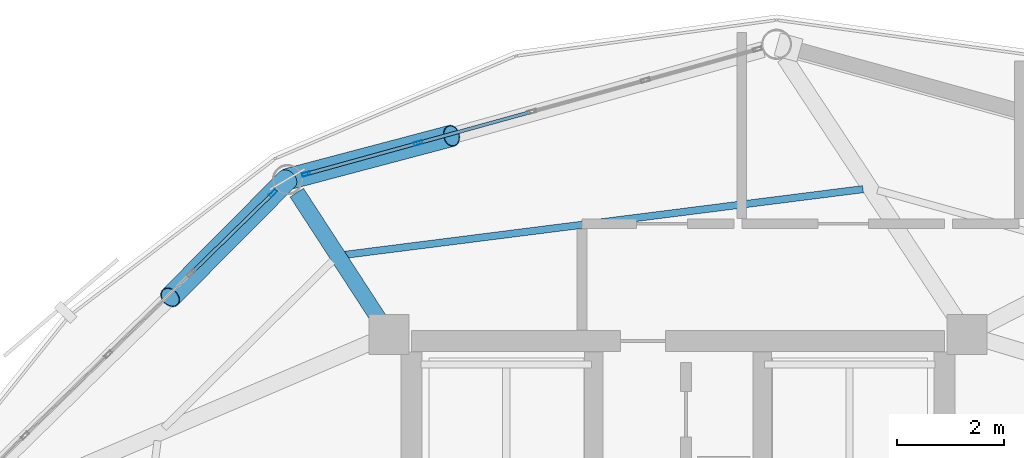
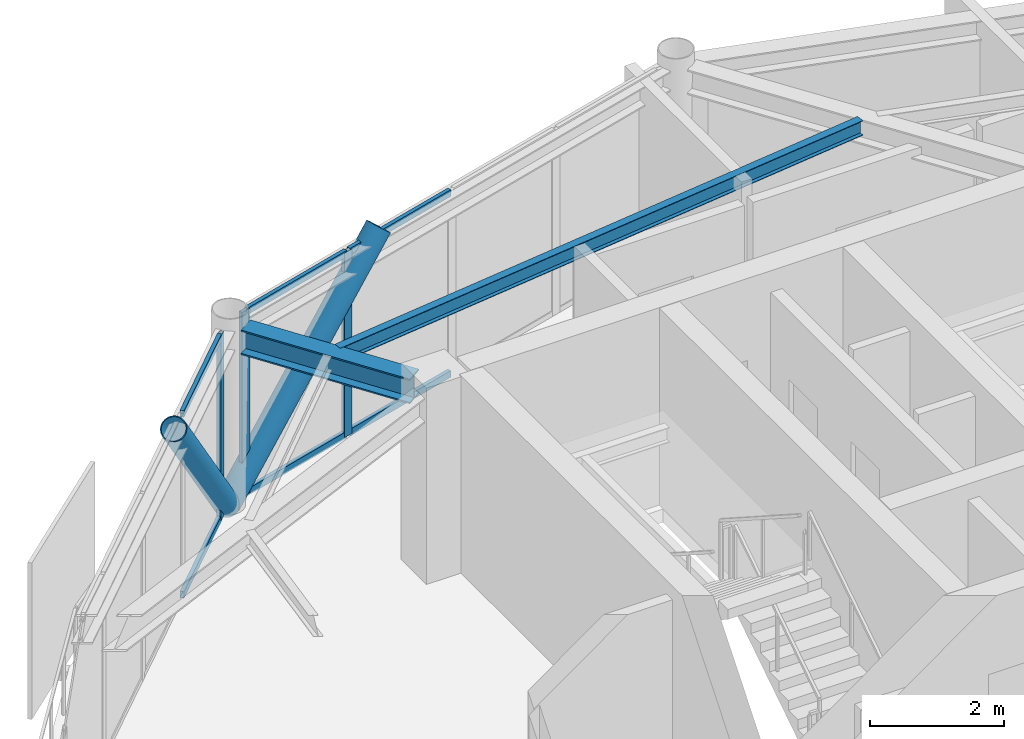
# One storey, part 18 of 27: 11 members, 2 beams, 2 elements without a shape of their own.
"""IFC4 building model written with IfcOpenShell, lengths in metres."""

from ifc_helpers import new_model, si_unit, direction, frame, origin, origin_2d, place, context, subcontext, project, spatial, hollow_rectangle, hollow_circle, i_section, extrude, material, layer, layer_set, material_profile, profile_set, type_object, element, aggregate, save


model = new_model("IFC4")

# Units and contexts
model_context = context("Model", 3, precision=1e-05, world=origin(), true_north=direction((0.0, 1.0)))
body_context = subcontext(model_context, "Body", "Model", "MODEL_VIEW")
ifc_project = project(units=[si_unit("LENGTHUNIT", "METRE"), si_unit("AREAUNIT", "SQUARE_METRE"), si_unit("VOLUMEUNIT", "CUBIC_METRE"), si_unit("PLANEANGLEUNIT", "RADIAN"), si_unit("MASSUNIT", "GRAM", prefix="KILO")], contexts=[model_context])

# Site, building, storey
site_placement = place(None, origin())
site = spatial("IfcSite", under=ifc_project, at=site_placement, CompositionType="ELEMENT")
building_placement = place(site_placement, origin())
building = spatial("IfcBuilding", under=site, at=building_placement, Name="Varnakorn Sky Granary", CompositionType="ELEMENT")
storey_placement = place(building_placement, frame((0.0, 0.0, 249.0)))
storey = spatial("IfcBuildingStorey", under=building, at=storey_placement, Name="L63", CompositionType="ELEMENT", Elevation=249.0)

# Beams
ifc_material_1 = material(Name="Steel S355JR", Category="steel")
ifc_material_profile_1 = material_profile(ifc_material_1, i_section(OverallWidth=0.300048828125, OverallDepth=0.449951171875, WebThickness=0.013916015625, FlangeThickness=0.02587890625, at=origin_2d()), Name="HE 450 B")
ifc_profile_set_1 = profile_set([ifc_material_profile_1], Name="Steel S355JR")
beam_type_1 = type_object("IfcBeamType", Name="BM-RAD-Z5", PredefinedType="BEAM", material=ifc_profile_set_1)
beam_1_placement = place(storey_placement, frame((-2.613525390625, 12.91748046875, 3.135009765625), z_axis=(-0.545061321977, 0.838396180385, 0.0), x_axis=(-0.838396180385, -0.545061321977, 0.0)))
element("IfcBeam", 1, at=beam_1_placement, inside=storey, type_object=beam_type_1, Name="Radial Floor Girder RG05 L63", PredefinedType="BEAM", context=body_context, shape_type="SweptSolid", body=[
    extrude(i_section(OverallWidth=0.300048828125, OverallDepth=0.449951171875, WebThickness=0.013916015625, FlangeThickness=0.02587890625, at=origin_2d()), origin(), (0.0, 0.0, 1.0), 2.822265625),
])
ifc_material_profile_2 = material_profile(ifc_material_1, i_section(OverallWidth=0.135009765625, OverallDepth=0.27001953125, WebThickness=0.006591796875, FlangeThickness=0.01025390625, at=origin_2d()), Name="IPE 270")
ifc_profile_set_2 = profile_set([ifc_material_profile_2], Name="Steel S355JR")
beam_type_2 = type_object("IfcBeamType", Name="BM-SEC-Z5", PredefinedType="BEAM", material=ifc_profile_set_2)
beam_2_placement = place(storey_placement, frame((6.47119140625, 15.349609375, 3.22509765625), z_axis=(-0.992061991407, -0.125749772188, 0.0), x_axis=(0.125749772188, -0.992061991407, 0.0)))
element("IfcBeam", 2, at=beam_2_placement, inside=storey, type_object=beam_type_2, Name="Secondary Floor Chord Beam MSB04 L63", PredefinedType="BEAM", context=body_context, shape_type="SweptSolid", body=[
    extrude(i_section(OverallWidth=0.135009765625, OverallDepth=0.27001953125, WebThickness=0.006591796875, FlangeThickness=0.01025390625, at=origin_2d()), origin(), (0.0, 0.0, 1.0), 9.792724609375),
])

# Curtain wall, members
ifc_material_2 = material(Name="Anodised Bronze Aluminium Alloy 6063-T6", Category="aluminium")
ifc_layer = layer(ifc_material_2, 0.159912109375, Name="Anodised Bronze Aluminium Alloy 6063-T6")
ifc_layer_set = layer_set([ifc_layer], Name="Anodised Bronze Aluminium Alloy 6063-T6")
curtain_wall_type = type_object("IfcCurtainWallType", Name="CW-OFF-1", PredefinedType="USERDEFINED", material=ifc_layer_set)
curtain_wall_1_placement = place(storey_placement, origin())
curtain_wall_1 = element("IfcCurtainWall", 3, at=curtain_wall_1_placement, inside=storey, type_object=curtain_wall_type, Name="Unitised Curtain Wall CW6 CW-L63-B04", ObjectType="CURTAIN WALL", PredefinedType="USERDEFINED")
ifc_material_profile_3 = material_profile(ifc_material_2, hollow_rectangle(XDim=0.06494140625, YDim=0.159912109375, WallThickness=0.00341796875, at=origin_2d()), Name="ALU MULL 65x160")
ifc_profile_set_3 = profile_set([ifc_material_profile_3], Name="Anodised Bronze Aluminium Alloy 6063-T6")
member_type_1 = type_object("IfcMemberType", Name="CW-OFF-1-MULL", PredefinedType="MULLION", material=ifc_profile_set_3)
member_1_placement = place(storey_placement, frame((-3.971435546875, 15.634033203125, 0.0), z_axis=(0.0, 0.0, 1.0), x_axis=(-0.266486844753, 0.963838555762, 0.0)))
member_1 = element("IfcMember", 4, at=member_1_placement, type_object=member_type_1, Name="CW6 mullion 1", PredefinedType="MULLION", context=body_context, shape_type="SweptSolid", body=[
    extrude(hollow_rectangle(XDim=0.06494140625, YDim=0.159912109375, WallThickness=0.00341796875, at=origin_2d()), origin(), (0.0, 0.0, 1.0), 3.360107421875),
])
member_2_placement = place(storey_placement, frame((-1.871337890625, 16.214599609375, 0.0), z_axis=(0.0, 0.0, 1.0), x_axis=(-0.266486844753, 0.963838555762, 0.0)))
member_2 = element("IfcMember", 5, at=member_2_placement, type_object=member_type_1, Name="CW6 mullion 2", PredefinedType="MULLION", context=body_context, shape_type="SweptSolid", body=[
    extrude(hollow_rectangle(XDim=0.06494140625, YDim=0.159912109375, WallThickness=0.00341796875, at=origin_2d()), origin(), (0.0, 0.0, 1.0), 3.360107421875),
])

# Curtain wall, member
curtain_wall_2_placement = place(storey_placement, origin())
curtain_wall_2 = element("IfcCurtainWall", 6, at=curtain_wall_2_placement, inside=storey, type_object=curtain_wall_type, Name="Unitised Curtain Wall CW6 CW-L63-B05", ObjectType="CURTAIN WALL", PredefinedType="USERDEFINED")
member_3_placement = place(storey_placement, frame((-4.595947265625, 15.27490234375, 0.0), z_axis=(0.0, 0.0, 1.0), x_axis=(-0.698832913663, 0.71528494936, 0.0)))
member_3 = element("IfcMember", 7, at=member_3_placement, type_object=member_type_1, Name="CW6 mullion 5", PredefinedType="MULLION", context=body_context, shape_type="SweptSolid", body=[
    extrude(hollow_rectangle(XDim=0.06494140625, YDim=0.159912109375, WallThickness=0.00341796875, at=origin_2d()), origin(), (0.0, 0.0, 1.0), 3.360107421875),
])

# Member
ifc_material_profile_4 = material_profile(ifc_material_2, hollow_rectangle(XDim=0.06494140625, YDim=0.1201171875, WallThickness=0.00341796875, at=origin_2d()), Name="ALU TRAN 65x120")
ifc_profile_set_4 = profile_set([ifc_material_profile_4], Name="Anodised Bronze Aluminium Alloy 6063-T6")
member_type_2 = type_object("IfcMemberType", Name="CW-OFF-1-TRAN", PredefinedType="USERDEFINED", material=ifc_profile_set_4)
member_4_placement = place(storey_placement, frame((-3.940185546875, 15.642578125, 0.032470703125), z_axis=(0.963816802571, 0.266565509926, 0.0), x_axis=(-0.266565509926, 0.963816802571, 0.0)))
member_4 = element("IfcMember", 8, at=member_4_placement, type_object=member_type_2, Name="CW6 transom 1.1", ObjectType="TRANSOM", PredefinedType="USERDEFINED", context=body_context, shape_type="SweptSolid", body=[
    extrude(hollow_rectangle(XDim=0.06494140625, YDim=0.1201171875, WallThickness=0.00341796875, at=origin_2d()), origin(), (0.0, 0.0, 1.0), 2.11376953125),
])

member_5_placement = place(storey_placement, frame((-3.940185546875, 15.642578125, 3.327392578125), z_axis=(0.963816802571, 0.266565509926, 0.0), x_axis=(-0.266565509926, 0.963816802571, 0.0)))
member_5 = element("IfcMember", 9, at=member_5_placement, type_object=member_type_2, Name="CW6 transom 1.2", ObjectType="TRANSOM", PredefinedType="USERDEFINED", context=body_context, shape_type="SweptSolid", body=[
    extrude(hollow_rectangle(XDim=0.06494140625, YDim=0.1201171875, WallThickness=0.00341796875, at=origin_2d()), origin(), (0.0, 0.0, 1.0), 2.11376953125),
])

member_6_placement = place(storey_placement, frame((-1.840087890625, 16.22314453125, 0.032470703125), z_axis=(0.963836609397, 0.266493884331, 0.0), x_axis=(-0.266493884331, 0.963836609397, 0.0)))
member_6 = element("IfcMember", 10, at=member_6_placement, type_object=member_type_2, Name="CW6 transom 2.1", ObjectType="TRANSOM", PredefinedType="USERDEFINED", context=body_context, shape_type="SweptSolid", body=[
    extrude(hollow_rectangle(XDim=0.06494140625, YDim=0.1201171875, WallThickness=0.00341796875, at=origin_2d()), origin(), (0.0, 0.0, 1.0), 2.146484375),
])

member_7_placement = place(storey_placement, frame((-1.840087890625, 16.22314453125, 3.327392578125), z_axis=(0.963836609397, 0.266493884331, 0.0), x_axis=(-0.266493884331, 0.963836609397, 0.0)))
member_7 = element("IfcMember", 11, at=member_7_placement, type_object=member_type_2, Name="CW6 transom 2.2", ObjectType="TRANSOM", PredefinedType="USERDEFINED", context=body_context, shape_type="SweptSolid", body=[
    extrude(hollow_rectangle(XDim=0.06494140625, YDim=0.1201171875, WallThickness=0.00341796875, at=origin_2d()), origin(), (0.0, 0.0, 1.0), 2.146484375),
])

aggregate(curtain_wall_1, [member_1, member_2, member_4, member_5, member_6, member_7])

member_8_placement = place(storey_placement, frame((-6.108154296875, 13.79736328125, 0.032470703125), z_axis=(0.715211185999, 0.698908405603, 0.0), x_axis=(-0.698908405603, 0.715211185999, 0.0)))
member_8 = element("IfcMember", 12, at=member_8_placement, type_object=member_type_2, Name="CW6 transom 4.1", ObjectType="TRANSOM", PredefinedType="USERDEFINED", context=body_context, shape_type="SweptSolid", body=[
    extrude(hollow_rectangle(XDim=0.06494140625, YDim=0.1201171875, WallThickness=0.00341796875, at=origin_2d()), origin(), (0.0, 0.0, 1.0), 2.08154296875),
])

member_9_placement = place(storey_placement, frame((-6.108154296875, 13.79736328125, 3.327392578125), z_axis=(0.715211185999, 0.698908405603, 0.0), x_axis=(-0.698908405603, 0.715211185999, 0.0)))
member_9 = element("IfcMember", 13, at=member_9_placement, type_object=member_type_2, Name="CW6 transom 4.2", ObjectType="TRANSOM", PredefinedType="USERDEFINED", context=body_context, shape_type="SweptSolid", body=[
    extrude(hollow_rectangle(XDim=0.06494140625, YDim=0.1201171875, WallThickness=0.00341796875, at=origin_2d()), origin(), (0.0, 0.0, 1.0), 2.08154296875),
])

aggregate(curtain_wall_2, [member_3, member_8, member_9])

# Members
ifc_material_3 = material(Name="Steel S460M", Category="steel")
ifc_material_profile_5 = material_profile(ifc_material_3, hollow_circle(Radius=0.203125, WallThickness=0.01611328125, at=origin_2d()), Name="CHS 406.4x16")
ifc_profile_set_5 = profile_set([ifc_material_profile_5], Name="Steel S460M")
member_type_3 = type_object("IfcMemberType", Name="MB-DIAG-T4", PredefinedType="BRACE", material=ifc_profile_set_5)
member_10_placement = place(storey_placement, frame((-4.330078125, 15.534912109375, 0.0), z_axis=(0.652115997079, 0.17238957775, 0.738259141384), x_axis=(-0.25557477289, 0.966789292174, 0.0)))
element("IfcMember", 14, at=member_10_placement, inside=storey, type_object=member_type_3, Name="Perimeter CHS Diagrid Brace DG04 L63", PredefinedType="BRACE", context=body_context, shape_type="SweptSolid", body=[
    extrude(hollow_circle(Radius=0.203125, WallThickness=0.01611328125, at=origin_2d()), origin(), (0.0, 0.0, 1.0), 4.727294921875),
])
member_11_placement = place(storey_placement, frame((-4.330078125, 15.534912109375, 0.0), z_axis=(-0.469497906983, -0.47299228154, 0.745553497036), x_axis=(0.709723570726, -0.704480271659, 0.0)))
element("IfcMember", 15, at=member_11_placement, inside=storey, type_object=member_type_3, Name="Perimeter CHS Diagrid Brace DG05 L63", PredefinedType="BRACE", context=body_context, shape_type="SweptSolid", body=[
    extrude(hollow_circle(Radius=0.203125, WallThickness=0.01611328125, at=origin_2d()), origin(), (0.0, 0.0, 1.0), 4.68115234375),
])

save(model, "model.ifc")
